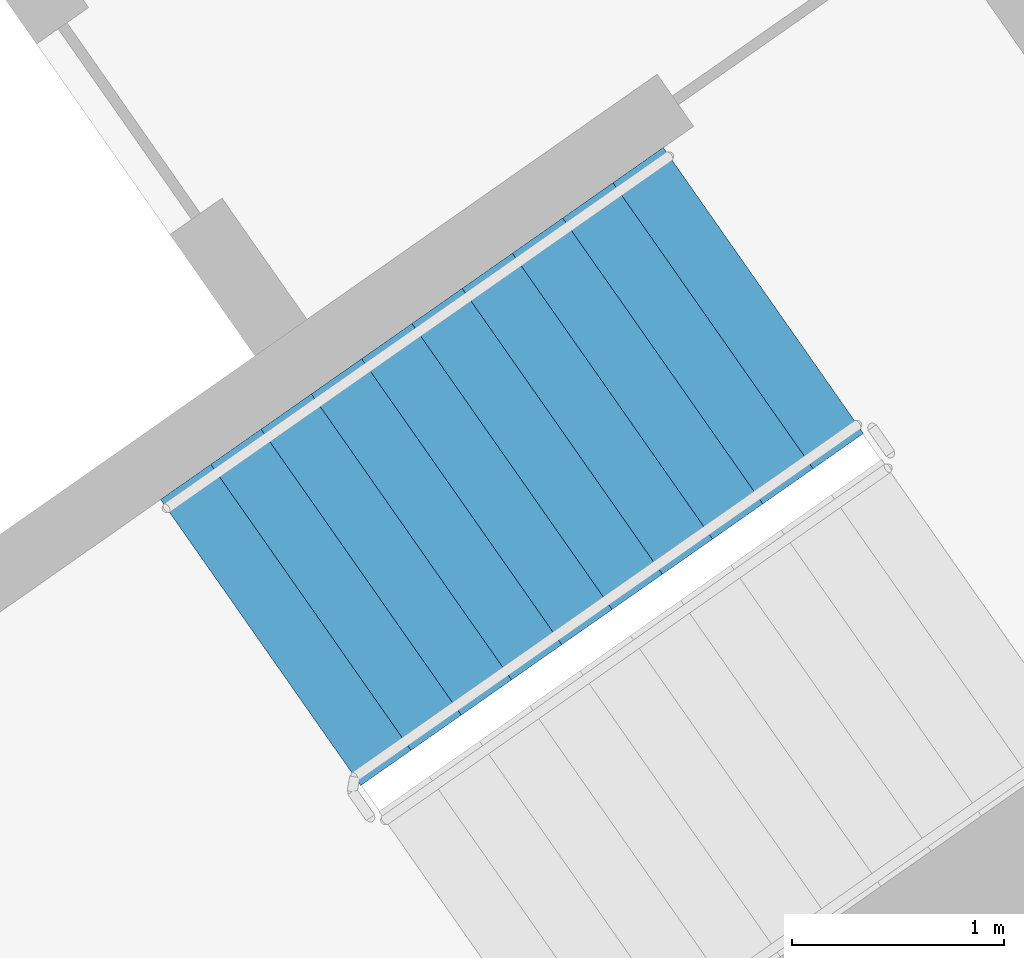
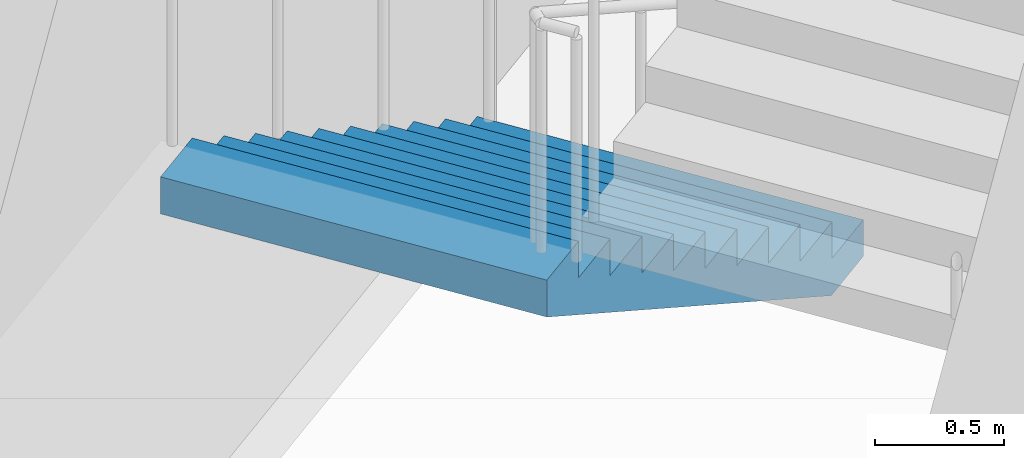
# One storey, part 18 of 31: 1 stair flight, 1 element without a shape of its own.
"""IFC4 building model written with IfcOpenShell, lengths in metres."""

from ifc_helpers import new_model, si_unit, direction, frame, origin, place, context, subcontext, project, spatial, faceted_brep, material, type_object, element, aggregate, save


model = new_model("IFC4")

# Units and contexts
model_context = context("Model", 3, precision=1e-05, world=origin(), true_north=direction((0.0, 1.0)))
body_context = subcontext(model_context, "Body", "Model", "MODEL_VIEW")
ifc_project = project(units=[si_unit("LENGTHUNIT", "METRE"), si_unit("AREAUNIT", "SQUARE_METRE"), si_unit("VOLUMEUNIT", "CUBIC_METRE"), si_unit("PLANEANGLEUNIT", "RADIAN"), si_unit("MASSUNIT", "GRAM", prefix="KILO")], contexts=[model_context])

# Site, building, storey
site_placement = place(None, origin())
site = spatial("IfcSite", under=ifc_project, at=site_placement, CompositionType="ELEMENT")
building_placement = place(site_placement, origin())
building = spatial("IfcBuilding", under=site, at=building_placement, Name="Qamariyya Broadcast Tower", CompositionType="ELEMENT")
storey_placement = place(building_placement, frame((0.0, 0.0, 74.699951171875)))
storey = spatial("IfcBuildingStorey", under=building, at=storey_placement, Name="L15", CompositionType="ELEMENT", Elevation=74.699951171875)

# Stair, stair flight
ifc_material = material(Name="Concrete C50/60", Category="concrete")
stair_type = type_object("IfcStairType", Name="Exit stair 22 risers of 173 mm", PredefinedType="HALF_TURN_STAIR", material=ifc_material)
stair_placement = place(storey_placement, origin())
stair = element("IfcStair", 1, at=stair_placement, inside=storey, type_object=stair_type, Name="L15 Stair E1", PredefinedType="HALF_TURN_STAIR")
stair_flight_type = type_object("IfcStairFlightType", Name="Exit stair flight 11 risers of 173 mm", PredefinedType="STRAIGHT", material=ifc_material)
stair_flight_placement = place(storey_placement, frame((46.036376953125, -55.508056640625, 0.0), z_axis=(0.0, 0.0, 1.0), x_axis=(-0.819152044289, -0.573576436351, 0.0)))
stair_flight = element("IfcStairFlight", 2, at=stair_flight_placement, type_object=stair_flight_type, Name="ST-E1 flight 1", NumberOfRisers=11, NumberOfTreads=10, PredefinedType="STRAIGHT", RiserHeight=0.172727273, TreadLength=0.29, context=body_context, shape_type="Brep", body=[
    faceted_brep([(0.0, 0.824951171875, 0.0), (0.0, 0.824951171875, 0.172607421875), (0.2900390625, 0.824951171875, 0.172607421875), (0.2900390625, 0.824951171875, 0.345458984375), (0.580078125, 0.824951171875, 0.345458984375), (0.580078125, 0.824951171875, 0.51806640625), (0.8701171875, 0.824951171875, 0.51806640625), (0.8701171875, 0.824951171875, 0.69091796875), (1.159912109375, 0.824951171875, 0.69091796875), (1.159912109375, 0.824951171875, 0.863525390625), (1.449951171875, 0.824951171875, 0.863525390625), (1.449951171875, 0.824951171875, 1.036376953125), (1.739990234375, 0.824951171875, 1.036376953125), (1.739990234375, 0.824951171875, 1.208984375), (2.030029296875, 0.824951171875, 1.208984375), (2.030029296875, 0.824951171875, 1.3818359375), (2.320068359375, 0.824951171875, 1.3818359375), (2.320068359375, 0.824951171875, 1.554443359375), (2.610107421875, 0.824951171875, 1.554443359375), (2.610107421875, 0.824951171875, 1.727294921875), (2.89990234375, 0.824951171875, 1.727294921875), (2.89990234375, 0.824951171875, 1.552734375), (0.29296875, 0.824951171875, 0.0), (0.29296875, -0.824951171875, 0.0), (2.89990234375, -0.824951171875, 1.552734375), (2.89990234375, -0.824951171875, 1.727294921875), (2.610107421875, -0.824951171875, 1.727294921875), (2.610107421875, -0.824951171875, 1.554443359375), (2.320068359375, -0.824951171875, 1.554443359375), (2.320068359375, -0.824951171875, 1.3818359375), (2.030029296875, -0.824951171875, 1.3818359375), (2.030029296875, -0.824951171875, 1.208984375), (1.739990234375, -0.824951171875, 1.208984375), (1.739990234375, -0.824951171875, 1.036376953125), (1.449951171875, -0.824951171875, 1.036376953125), (1.449951171875, -0.824951171875, 0.863525390625), (1.159912109375, -0.824951171875, 0.863525390625), (1.159912109375, -0.824951171875, 0.69091796875), (0.8701171875, -0.824951171875, 0.69091796875), (0.8701171875, -0.824951171875, 0.51806640625), (0.580078125, -0.824951171875, 0.51806640625), (0.580078125, -0.824951171875, 0.345458984375), (0.2900390625, -0.824951171875, 0.345458984375), (0.2900390625, -0.824951171875, 0.172607421875), (0.0, -0.824951171875, 0.172607421875), (0.0, -0.824951171875, 0.0), (0.0, 0.10009765625, 0.0), (0.0, 0.086669921875, 0.0), (0.0, 0.0732421875, 0.0), (0.0, 0.06005859375, 0.0), (0.0, 0.046630859375, 0.0), (0.0, 0.033447265625, 0.0), (0.0, 0.02001953125, 0.0), (0.0, 0.006591796875, 0.0), (0.0, -0.006591796875, 0.0), (0.0, -0.02001953125, 0.0), (0.0, -0.033447265625, 0.0), (0.0, -0.046630859375, 0.0), (0.0, -0.06005859375, 0.0), (0.0, -0.0732421875, 0.0), (0.0, -0.086669921875, 0.0), (0.0, -0.10009765625, 0.0), (0.0, -0.10009765625, 0.172607421875), (0.0, -0.086669921875, 0.172607421875), (0.0, -0.0732421875, 0.172607421875), (0.0, -0.06005859375, 0.172607421875), (0.0, -0.046630859375, 0.172607421875), (0.0, -0.033447265625, 0.172607421875), (0.0, -0.02001953125, 0.172607421875), (0.0, -0.006591796875, 0.172607421875), (0.0, 0.006591796875, 0.172607421875), (0.0, 0.02001953125, 0.172607421875), (0.0, 0.033447265625, 0.172607421875), (0.0, 0.046630859375, 0.172607421875), (0.0, 0.06005859375, 0.172607421875), (0.0, 0.0732421875, 0.172607421875), (0.0, 0.086669921875, 0.172607421875), (0.0, 0.10009765625, 0.172607421875), (0.2900390625, -0.10009765625, 0.172607421875), (0.2900390625, -0.086669921875, 0.172607421875), (0.2900390625, -0.0732421875, 0.172607421875), (0.2900390625, -0.06005859375, 0.172607421875), (0.2900390625, -0.046630859375, 0.172607421875), (0.2900390625, -0.033447265625, 0.172607421875), (0.2900390625, -0.02001953125, 0.172607421875), (0.2900390625, -0.006591796875, 0.172607421875), (0.2900390625, 0.006591796875, 0.172607421875), (0.2900390625, 0.02001953125, 0.172607421875), (0.2900390625, 0.033447265625, 0.172607421875), (0.2900390625, 0.046630859375, 0.172607421875), (0.2900390625, 0.06005859375, 0.172607421875), (0.2900390625, 0.0732421875, 0.172607421875), (0.2900390625, 0.086669921875, 0.172607421875), (0.2900390625, 0.10009765625, 0.172607421875), (0.2900390625, -0.10009765625, 0.345458984375), (0.2900390625, -0.086669921875, 0.345458984375), (0.2900390625, -0.0732421875, 0.345458984375), (0.2900390625, -0.06005859375, 0.345458984375), (0.2900390625, -0.046630859375, 0.345458984375), (0.2900390625, -0.033447265625, 0.345458984375), (0.2900390625, -0.02001953125, 0.345458984375), (0.2900390625, -0.006591796875, 0.345458984375), (0.2900390625, 0.006591796875, 0.345458984375), (0.2900390625, 0.02001953125, 0.345458984375), (0.2900390625, 0.033447265625, 0.345458984375), (0.2900390625, 0.046630859375, 0.345458984375), (0.2900390625, 0.06005859375, 0.345458984375), (0.2900390625, 0.0732421875, 0.345458984375), (0.2900390625, 0.086669921875, 0.345458984375), (0.2900390625, 0.10009765625, 0.345458984375), (0.580078125, -0.10009765625, 0.345458984375), (0.580078125, -0.086669921875, 0.345458984375), (0.580078125, -0.0732421875, 0.345458984375), (0.580078125, -0.06005859375, 0.345458984375), (0.580078125, -0.046630859375, 0.345458984375), (0.580078125, -0.033447265625, 0.345458984375), (0.580078125, -0.02001953125, 0.345458984375), (0.580078125, -0.006591796875, 0.345458984375), (0.580078125, 0.006591796875, 0.345458984375), (0.580078125, 0.02001953125, 0.345458984375), (0.580078125, 0.033447265625, 0.345458984375), (0.580078125, 0.046630859375, 0.345458984375), (0.580078125, 0.06005859375, 0.345458984375), (0.580078125, 0.0732421875, 0.345458984375), (0.580078125, 0.086669921875, 0.345458984375), (0.580078125, 0.10009765625, 0.345458984375), (0.580078125, -0.10009765625, 0.51806640625), (0.580078125, -0.086669921875, 0.51806640625), (0.580078125, -0.0732421875, 0.51806640625), (0.580078125, -0.06005859375, 0.51806640625), (0.580078125, -0.046630859375, 0.51806640625), (0.580078125, -0.033447265625, 0.51806640625), (0.580078125, -0.02001953125, 0.51806640625), (0.580078125, -0.006591796875, 0.51806640625), (0.580078125, 0.006591796875, 0.51806640625), (0.580078125, 0.02001953125, 0.51806640625), (0.580078125, 0.033447265625, 0.51806640625), (0.580078125, 0.046630859375, 0.51806640625), (0.580078125, 0.06005859375, 0.51806640625), (0.580078125, 0.0732421875, 0.51806640625), (0.580078125, 0.086669921875, 0.51806640625), (0.580078125, 0.10009765625, 0.51806640625), (0.8701171875, -0.10009765625, 0.51806640625), (0.8701171875, -0.086669921875, 0.51806640625), (0.8701171875, -0.0732421875, 0.51806640625), (0.8701171875, -0.06005859375, 0.51806640625), (0.8701171875, -0.046630859375, 0.51806640625), (0.8701171875, -0.033447265625, 0.51806640625), (0.8701171875, -0.02001953125, 0.51806640625), (0.8701171875, -0.006591796875, 0.51806640625), (0.8701171875, 0.006591796875, 0.51806640625), (0.8701171875, 0.02001953125, 0.51806640625), (0.8701171875, 0.033447265625, 0.51806640625), (0.8701171875, 0.046630859375, 0.51806640625), (0.8701171875, 0.06005859375, 0.51806640625), (0.8701171875, 0.0732421875, 0.51806640625), (0.8701171875, 0.086669921875, 0.51806640625), (0.8701171875, 0.10009765625, 0.51806640625), (0.8701171875, -0.10009765625, 0.69091796875), (0.8701171875, -0.086669921875, 0.69091796875), (0.8701171875, -0.0732421875, 0.69091796875), (0.8701171875, -0.06005859375, 0.69091796875), (0.8701171875, -0.046630859375, 0.69091796875), (0.8701171875, -0.033447265625, 0.69091796875), (0.8701171875, -0.02001953125, 0.69091796875), (0.8701171875, -0.006591796875, 0.69091796875), (0.8701171875, 0.006591796875, 0.69091796875), (0.8701171875, 0.02001953125, 0.69091796875), (0.8701171875, 0.033447265625, 0.69091796875), (0.8701171875, 0.046630859375, 0.69091796875), (0.8701171875, 0.06005859375, 0.69091796875), (0.8701171875, 0.0732421875, 0.69091796875), (0.8701171875, 0.086669921875, 0.69091796875), (0.8701171875, 0.10009765625, 0.69091796875), (1.159912109375, -0.10009765625, 0.69091796875), (1.159912109375, -0.086669921875, 0.69091796875), (1.159912109375, -0.0732421875, 0.69091796875), (1.159912109375, -0.06005859375, 0.69091796875), (1.159912109375, -0.046630859375, 0.69091796875), (1.159912109375, -0.033447265625, 0.69091796875), (1.159912109375, -0.02001953125, 0.69091796875), (1.159912109375, -0.006591796875, 0.69091796875), (1.159912109375, 0.006591796875, 0.69091796875), (1.159912109375, 0.02001953125, 0.69091796875), (1.159912109375, 0.033447265625, 0.69091796875), (1.159912109375, 0.046630859375, 0.69091796875), (1.159912109375, 0.06005859375, 0.69091796875), (1.159912109375, 0.0732421875, 0.69091796875), (1.159912109375, 0.086669921875, 0.69091796875), (1.159912109375, 0.10009765625, 0.69091796875), (1.159912109375, -0.10009765625, 0.863525390625), (1.159912109375, -0.086669921875, 0.863525390625), (1.159912109375, -0.0732421875, 0.863525390625), (1.159912109375, -0.06005859375, 0.863525390625), (1.159912109375, -0.046630859375, 0.863525390625), (1.159912109375, -0.033447265625, 0.863525390625), (1.159912109375, -0.02001953125, 0.863525390625), (1.159912109375, -0.006591796875, 0.863525390625), (1.159912109375, 0.006591796875, 0.863525390625), (1.159912109375, 0.02001953125, 0.863525390625), (1.159912109375, 0.033447265625, 0.863525390625), (1.159912109375, 0.046630859375, 0.863525390625), (1.159912109375, 0.06005859375, 0.863525390625), (1.159912109375, 0.0732421875, 0.863525390625), (1.159912109375, 0.086669921875, 0.863525390625), (1.159912109375, 0.10009765625, 0.863525390625), (1.449951171875, -0.10009765625, 0.863525390625), (1.449951171875, -0.086669921875, 0.863525390625), (1.449951171875, -0.0732421875, 0.863525390625), (1.449951171875, -0.06005859375, 0.863525390625), (1.449951171875, -0.046630859375, 0.863525390625), (1.449951171875, -0.033447265625, 0.863525390625), (1.449951171875, -0.02001953125, 0.863525390625), (1.449951171875, -0.006591796875, 0.863525390625), (1.449951171875, 0.006591796875, 0.863525390625), (1.449951171875, 0.02001953125, 0.863525390625), (1.449951171875, 0.033447265625, 0.863525390625), (1.449951171875, 0.046630859375, 0.863525390625), (1.449951171875, 0.06005859375, 0.863525390625), (1.449951171875, 0.0732421875, 0.863525390625), (1.449951171875, 0.086669921875, 0.863525390625), (1.449951171875, 0.10009765625, 0.863525390625), (1.449951171875, -0.10009765625, 1.036376953125), (1.449951171875, -0.086669921875, 1.036376953125), (1.449951171875, -0.0732421875, 1.036376953125), (1.449951171875, -0.06005859375, 1.036376953125), (1.449951171875, -0.046630859375, 1.036376953125), (1.449951171875, -0.033447265625, 1.036376953125), (1.449951171875, -0.02001953125, 1.036376953125), (1.449951171875, -0.006591796875, 1.036376953125), (1.449951171875, 0.006591796875, 1.036376953125), (1.449951171875, 0.02001953125, 1.036376953125), (1.449951171875, 0.033447265625, 1.036376953125), (1.449951171875, 0.046630859375, 1.036376953125), (1.449951171875, 0.06005859375, 1.036376953125), (1.449951171875, 0.0732421875, 1.036376953125), (1.449951171875, 0.086669921875, 1.036376953125), (1.449951171875, 0.10009765625, 1.036376953125), (1.739990234375, -0.10009765625, 1.036376953125), (1.739990234375, -0.086669921875, 1.036376953125), (1.739990234375, -0.0732421875, 1.036376953125), (1.739990234375, -0.06005859375, 1.036376953125), (1.739990234375, -0.046630859375, 1.036376953125), (1.739990234375, -0.033447265625, 1.036376953125), (1.739990234375, -0.02001953125, 1.036376953125), (1.739990234375, -0.006591796875, 1.036376953125), (1.739990234375, 0.006591796875, 1.036376953125), (1.739990234375, 0.02001953125, 1.036376953125), (1.739990234375, 0.033447265625, 1.036376953125), (1.739990234375, 0.046630859375, 1.036376953125), (1.739990234375, 0.06005859375, 1.036376953125), (1.739990234375, 0.0732421875, 1.036376953125), (1.739990234375, 0.086669921875, 1.036376953125), (1.739990234375, 0.10009765625, 1.036376953125), (1.739990234375, -0.10009765625, 1.208984375), (1.739990234375, -0.086669921875, 1.208984375), (1.739990234375, -0.0732421875, 1.208984375), (1.739990234375, -0.06005859375, 1.208984375), (1.739990234375, -0.046630859375, 1.208984375), (1.739990234375, -0.033447265625, 1.208984375), (1.739990234375, -0.02001953125, 1.208984375), (1.739990234375, -0.006591796875, 1.208984375), (1.739990234375, 0.006591796875, 1.208984375), (1.739990234375, 0.02001953125, 1.208984375), (1.739990234375, 0.033447265625, 1.208984375), (1.739990234375, 0.046630859375, 1.208984375), (1.739990234375, 0.06005859375, 1.208984375), (1.739990234375, 0.0732421875, 1.208984375), (1.739990234375, 0.086669921875, 1.208984375), (1.739990234375, 0.10009765625, 1.208984375), (2.030029296875, -0.10009765625, 1.208984375), (2.030029296875, -0.086669921875, 1.208984375), (2.030029296875, -0.0732421875, 1.208984375), (2.030029296875, -0.06005859375, 1.208984375), (2.030029296875, -0.046630859375, 1.208984375), (2.030029296875, -0.033447265625, 1.208984375), (2.030029296875, -0.02001953125, 1.208984375), (2.030029296875, -0.006591796875, 1.208984375), (2.030029296875, 0.006591796875, 1.208984375), (2.030029296875, 0.02001953125, 1.208984375), (2.030029296875, 0.033447265625, 1.208984375), (2.030029296875, 0.046630859375, 1.208984375), (2.030029296875, 0.06005859375, 1.208984375), (2.030029296875, 0.0732421875, 1.208984375), (2.030029296875, 0.086669921875, 1.208984375), (2.030029296875, 0.10009765625, 1.208984375), (2.030029296875, -0.10009765625, 1.3818359375), (2.030029296875, -0.086669921875, 1.3818359375), (2.030029296875, -0.0732421875, 1.3818359375), (2.030029296875, -0.06005859375, 1.3818359375), (2.030029296875, -0.046630859375, 1.3818359375), (2.030029296875, -0.033447265625, 1.3818359375), (2.030029296875, -0.02001953125, 1.3818359375), (2.030029296875, -0.006591796875, 1.3818359375), (2.030029296875, 0.006591796875, 1.3818359375), (2.030029296875, 0.02001953125, 1.3818359375), (2.030029296875, 0.033447265625, 1.3818359375), (2.030029296875, 0.046630859375, 1.3818359375), (2.030029296875, 0.06005859375, 1.3818359375), (2.030029296875, 0.0732421875, 1.3818359375), (2.030029296875, 0.086669921875, 1.3818359375), (2.030029296875, 0.10009765625, 1.3818359375), (2.320068359375, -0.10009765625, 1.3818359375), (2.320068359375, -0.086669921875, 1.3818359375), (2.320068359375, -0.0732421875, 1.3818359375), (2.320068359375, -0.06005859375, 1.3818359375), (2.320068359375, -0.046630859375, 1.3818359375), (2.320068359375, -0.033447265625, 1.3818359375), (2.320068359375, -0.02001953125, 1.3818359375), (2.320068359375, -0.006591796875, 1.3818359375), (2.320068359375, 0.006591796875, 1.3818359375), (2.320068359375, 0.02001953125, 1.3818359375), (2.320068359375, 0.033447265625, 1.3818359375), (2.320068359375, 0.046630859375, 1.3818359375), (2.320068359375, 0.06005859375, 1.3818359375), (2.320068359375, 0.0732421875, 1.3818359375), (2.320068359375, 0.086669921875, 1.3818359375), (2.320068359375, 0.10009765625, 1.3818359375), (2.320068359375, -0.10009765625, 1.554443359375), (2.320068359375, -0.086669921875, 1.554443359375), (2.320068359375, -0.0732421875, 1.554443359375), (2.320068359375, -0.06005859375, 1.554443359375), (2.320068359375, -0.046630859375, 1.554443359375), (2.320068359375, -0.033447265625, 1.554443359375), (2.320068359375, -0.02001953125, 1.554443359375), (2.320068359375, -0.006591796875, 1.554443359375), (2.320068359375, 0.006591796875, 1.554443359375), (2.320068359375, 0.02001953125, 1.554443359375), (2.320068359375, 0.033447265625, 1.554443359375), (2.320068359375, 0.046630859375, 1.554443359375), (2.320068359375, 0.06005859375, 1.554443359375), (2.320068359375, 0.0732421875, 1.554443359375), (2.320068359375, 0.086669921875, 1.554443359375), (2.320068359375, 0.10009765625, 1.554443359375), (2.610107421875, -0.10009765625, 1.554443359375), (2.610107421875, -0.086669921875, 1.554443359375), (2.610107421875, -0.0732421875, 1.554443359375), (2.610107421875, -0.06005859375, 1.554443359375), (2.610107421875, -0.046630859375, 1.554443359375), (2.610107421875, -0.033447265625, 1.554443359375), (2.610107421875, -0.02001953125, 1.554443359375), (2.610107421875, -0.006591796875, 1.554443359375), (2.610107421875, 0.006591796875, 1.554443359375), (2.610107421875, 0.02001953125, 1.554443359375), (2.610107421875, 0.033447265625, 1.554443359375), (2.610107421875, 0.046630859375, 1.554443359375), (2.610107421875, 0.06005859375, 1.554443359375), (2.610107421875, 0.0732421875, 1.554443359375), (2.610107421875, 0.086669921875, 1.554443359375), (2.610107421875, 0.10009765625, 1.554443359375), (2.610107421875, -0.10009765625, 1.727294921875), (2.610107421875, -0.086669921875, 1.727294921875), (2.610107421875, -0.0732421875, 1.727294921875), (2.610107421875, -0.06005859375, 1.727294921875), (2.610107421875, -0.046630859375, 1.727294921875), (2.610107421875, -0.033447265625, 1.727294921875), (2.610107421875, -0.02001953125, 1.727294921875), (2.610107421875, -0.006591796875, 1.727294921875), (2.610107421875, 0.006591796875, 1.727294921875), (2.610107421875, 0.02001953125, 1.727294921875), (2.610107421875, 0.033447265625, 1.727294921875), (2.610107421875, 0.046630859375, 1.727294921875), (2.610107421875, 0.06005859375, 1.727294921875), (2.610107421875, 0.0732421875, 1.727294921875), (2.610107421875, 0.086669921875, 1.727294921875), (2.610107421875, 0.10009765625, 1.727294921875), (2.89990234375, -0.10009765625, 1.727294921875), (2.89990234375, -0.086669921875, 1.727294921875), (2.89990234375, -0.0732421875, 1.727294921875), (2.89990234375, -0.06005859375, 1.727294921875), (2.89990234375, -0.046630859375, 1.727294921875), (2.89990234375, -0.033447265625, 1.727294921875), (2.89990234375, -0.02001953125, 1.727294921875), (2.89990234375, -0.006591796875, 1.727294921875), (2.89990234375, 0.006591796875, 1.727294921875), (2.89990234375, 0.02001953125, 1.727294921875), (2.89990234375, 0.033447265625, 1.727294921875), (2.89990234375, 0.046630859375, 1.727294921875), (2.89990234375, 0.06005859375, 1.727294921875), (2.89990234375, 0.0732421875, 1.727294921875), (2.89990234375, 0.086669921875, 1.727294921875), (2.89990234375, 0.10009765625, 1.727294921875), (2.89990234375, -0.10009765625, 1.552734375), (2.89990234375, -0.086669921875, 1.552734375), (2.89990234375, -0.0732421875, 1.552734375), (2.89990234375, -0.06005859375, 1.552734375), (2.89990234375, -0.046630859375, 1.552734375), (2.89990234375, -0.033447265625, 1.552734375), (2.89990234375, -0.02001953125, 1.552734375), (2.89990234375, -0.006591796875, 1.552734375), (2.89990234375, 0.006591796875, 1.552734375), (2.89990234375, 0.02001953125, 1.552734375), (2.89990234375, 0.033447265625, 1.552734375), (2.89990234375, 0.046630859375, 1.552734375), (2.89990234375, 0.06005859375, 1.552734375), (2.89990234375, 0.0732421875, 1.552734375), (2.89990234375, 0.086669921875, 1.552734375), (2.89990234375, 0.10009765625, 1.552734375), (0.29296875, -0.10009765625, 0.0), (0.29296875, -0.086669921875, 0.0), (0.29296875, -0.0732421875, 0.0), (0.29296875, -0.06005859375, 0.0), (0.29296875, -0.046630859375, 0.0), (0.29296875, -0.033447265625, 0.0), (0.29296875, -0.02001953125, 0.0), (0.29296875, -0.006591796875, 0.0), (0.29296875, 0.006591796875, 0.0), (0.29296875, 0.02001953125, 0.0), (0.29296875, 0.033447265625, 0.0), (0.29296875, 0.046630859375, 0.0), (0.29296875, 0.06005859375, 0.0), (0.29296875, 0.0732421875, 0.0), (0.29296875, 0.086669921875, 0.0), (0.29296875, 0.10009765625, 0.0)], [[[0, 1, 2, 3, 4, 5, 6, 7, 8, 9, 10, 11, 12, 13, 14, 15, 16, 17, 18, 19, 20, 21, 22]], [[23, 24, 25, 26, 27, 28, 29, 30, 31, 32, 33, 34, 35, 36, 37, 38, 39, 40, 41, 42, 43, 44, 45]], [[0, 46, 47, 48, 49, 50, 51, 52, 53, 54, 55, 56, 57, 58, 59, 60, 61, 45, 44, 62, 63, 64, 65, 66, 67, 68, 69, 70, 71, 72, 73, 74, 75, 76, 77, 1]], [[1, 77, 76, 75, 74, 73, 72, 71, 70, 69, 68, 67, 66, 65, 64, 63, 62, 44, 43, 78, 79, 80, 81, 82, 83, 84, 85, 86, 87, 88, 89, 90, 91, 92, 93, 2]], [[2, 93, 92, 91, 90, 89, 88, 87, 86, 85, 84, 83, 82, 81, 80, 79, 78, 43, 42, 94, 95, 96, 97, 98, 99, 100, 101, 102, 103, 104, 105, 106, 107, 108, 109, 3]], [[3, 109, 108, 107, 106, 105, 104, 103, 102, 101, 100, 99, 98, 97, 96, 95, 94, 42, 41, 110, 111, 112, 113, 114, 115, 116, 117, 118, 119, 120, 121, 122, 123, 124, 125, 4]], [[4, 125, 124, 123, 122, 121, 120, 119, 118, 117, 116, 115, 114, 113, 112, 111, 110, 41, 40, 126, 127, 128, 129, 130, 131, 132, 133, 134, 135, 136, 137, 138, 139, 140, 141, 5]], [[5, 141, 140, 139, 138, 137, 136, 135, 134, 133, 132, 131, 130, 129, 128, 127, 126, 40, 39, 142, 143, 144, 145, 146, 147, 148, 149, 150, 151, 152, 153, 154, 155, 156, 157, 6]], [[6, 157, 156, 155, 154, 153, 152, 151, 150, 149, 148, 147, 146, 145, 144, 143, 142, 39, 38, 158, 159, 160, 161, 162, 163, 164, 165, 166, 167, 168, 169, 170, 171, 172, 173, 7]], [[7, 173, 172, 171, 170, 169, 168, 167, 166, 165, 164, 163, 162, 161, 160, 159, 158, 38, 37, 174, 175, 176, 177, 178, 179, 180, 181, 182, 183, 184, 185, 186, 187, 188, 189, 8]], [[8, 189, 188, 187, 186, 185, 184, 183, 182, 181, 180, 179, 178, 177, 176, 175, 174, 37, 36, 190, 191, 192, 193, 194, 195, 196, 197, 198, 199, 200, 201, 202, 203, 204, 205, 9]], [[9, 205, 204, 203, 202, 201, 200, 199, 198, 197, 196, 195, 194, 193, 192, 191, 190, 36, 35, 206, 207, 208, 209, 210, 211, 212, 213, 214, 215, 216, 217, 218, 219, 220, 221, 10]], [[10, 221, 220, 219, 218, 217, 216, 215, 214, 213, 212, 211, 210, 209, 208, 207, 206, 35, 34, 222, 223, 224, 225, 226, 227, 228, 229, 230, 231, 232, 233, 234, 235, 236, 237, 11]], [[11, 237, 236, 235, 234, 233, 232, 231, 230, 229, 228, 227, 226, 225, 224, 223, 222, 34, 33, 238, 239, 240, 241, 242, 243, 244, 245, 246, 247, 248, 249, 250, 251, 252, 253, 12]], [[12, 253, 252, 251, 250, 249, 248, 247, 246, 245, 244, 243, 242, 241, 240, 239, 238, 33, 32, 254, 255, 256, 257, 258, 259, 260, 261, 262, 263, 264, 265, 266, 267, 268, 269, 13]], [[13, 269, 268, 267, 266, 265, 264, 263, 262, 261, 260, 259, 258, 257, 256, 255, 254, 32, 31, 270, 271, 272, 273, 274, 275, 276, 277, 278, 279, 280, 281, 282, 283, 284, 285, 14]], [[14, 285, 284, 283, 282, 281, 280, 279, 278, 277, 276, 275, 274, 273, 272, 271, 270, 31, 30, 286, 287, 288, 289, 290, 291, 292, 293, 294, 295, 296, 297, 298, 299, 300, 301, 15]], [[15, 301, 300, 299, 298, 297, 296, 295, 294, 293, 292, 291, 290, 289, 288, 287, 286, 30, 29, 302, 303, 304, 305, 306, 307, 308, 309, 310, 311, 312, 313, 314, 315, 316, 317, 16]], [[16, 317, 316, 315, 314, 313, 312, 311, 310, 309, 308, 307, 306, 305, 304, 303, 302, 29, 28, 318, 319, 320, 321, 322, 323, 324, 325, 326, 327, 328, 329, 330, 331, 332, 333, 17]], [[17, 333, 332, 331, 330, 329, 328, 327, 326, 325, 324, 323, 322, 321, 320, 319, 318, 28, 27, 334, 335, 336, 337, 338, 339, 340, 341, 342, 343, 344, 345, 346, 347, 348, 349, 18]], [[18, 349, 348, 347, 346, 345, 344, 343, 342, 341, 340, 339, 338, 337, 336, 335, 334, 27, 26, 350, 351, 352, 353, 354, 355, 356, 357, 358, 359, 360, 361, 362, 363, 364, 365, 19]], [[19, 365, 364, 363, 362, 361, 360, 359, 358, 357, 356, 355, 354, 353, 352, 351, 350, 26, 25, 366, 367, 368, 369, 370, 371, 372, 373, 374, 375, 376, 377, 378, 379, 380, 381, 20]], [[20, 381, 380, 379, 378, 377, 376, 375, 374, 373, 372, 371, 370, 369, 368, 367, 366, 25, 24, 382, 383, 384, 385, 386, 387, 388, 389, 390, 391, 392, 393, 394, 395, 396, 397, 21]], [[21, 397, 396, 395, 394, 393, 392, 391, 390, 389, 388, 387, 386, 385, 384, 383, 382, 24, 23, 398, 399, 400, 401, 402, 403, 404, 405, 406, 407, 408, 409, 410, 411, 412, 413, 22]], [[22, 413, 412, 411, 410, 409, 408, 407, 406, 405, 404, 403, 402, 401, 400, 399, 398, 23, 45, 61, 60, 59, 58, 57, 56, 55, 54, 53, 52, 51, 50, 49, 48, 47, 46, 0]]]),
])
aggregate(stair, [stair_flight])

save(model, "model.ifc")
